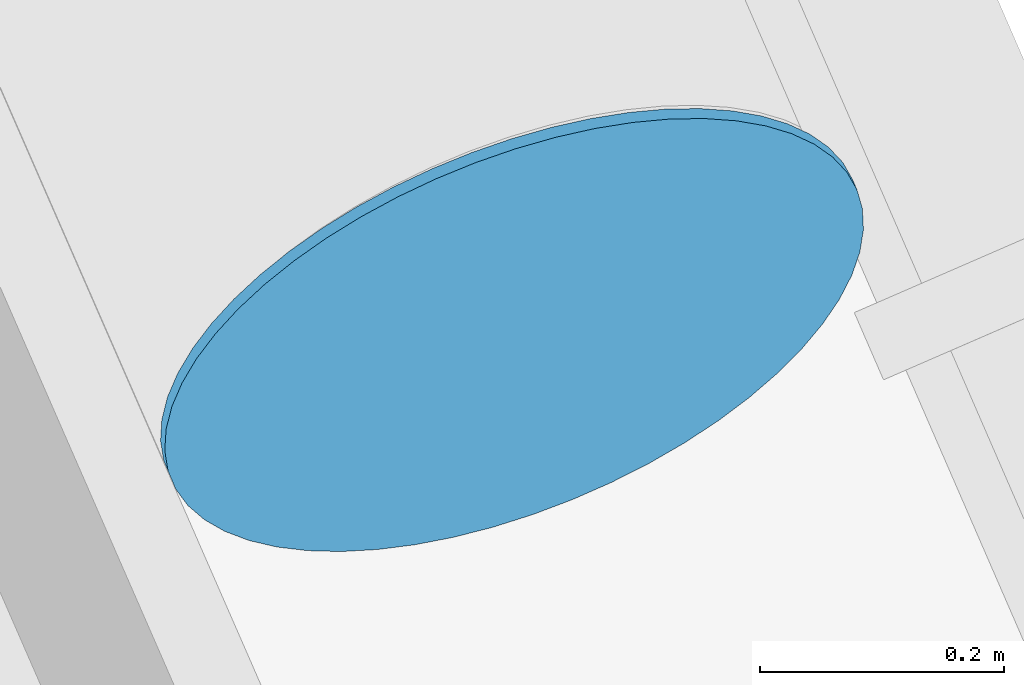
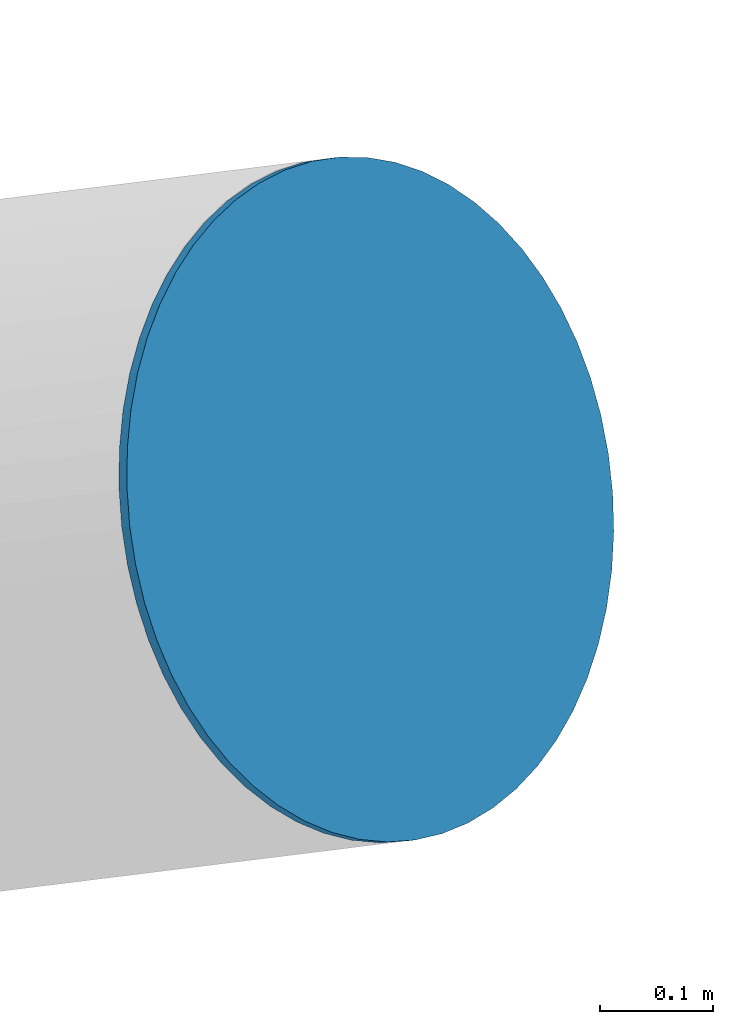
# One storey, part 24 of 27: 1 discrete accessory.
"""IFC4 building model written with IfcOpenShell, lengths in metres."""

from ifc_helpers import new_model, si_unit, direction, frame, origin, origin_2d, place, context, subcontext, project, spatial, circle, extrude, material, material_profile, profile_set, type_object, element, save


model = new_model("IFC4")

# Units and contexts
model_context = context("Model", 3, precision=1e-05, world=origin(), true_north=direction((0.0, 1.0)))
body_context = subcontext(model_context, "Body", "Model", "MODEL_VIEW")
ifc_project = project(units=[si_unit("LENGTHUNIT", "METRE"), si_unit("AREAUNIT", "SQUARE_METRE"), si_unit("VOLUMEUNIT", "CUBIC_METRE"), si_unit("PLANEANGLEUNIT", "RADIAN"), si_unit("MASSUNIT", "GRAM", prefix="KILO")], contexts=[model_context])

# Site, building, storey
site_placement = place(None, origin())
site = spatial("IfcSite", under=ifc_project, at=site_placement, CompositionType="ELEMENT")
building_placement = place(site_placement, origin())
building = spatial("IfcBuilding", under=site, at=building_placement, Name="Wharfspan Tower", CompositionType="ELEMENT")
storey_placement = place(building_placement, frame((0.0, 0.0, 210.699951)))
storey = spatial("IfcBuildingStorey", under=building, at=storey_placement, Name="L52", CompositionType="ELEMENT", Elevation=210.699951)

# Discrete accessory
ifc_material = material(Name="Steel S460NH", Category="steel")
ifc_material_profile = material_profile(ifc_material, circle(Radius=0.304932, at=origin_2d()))
ifc_profile_set = profile_set([ifc_material_profile], Name="Steel S460NH")
discrete_accessory_type = type_object("IfcDiscreteAccessoryType", Name="End plate CHS 610x25", PredefinedType="BRACKET", material=ifc_profile_set)
discrete_accessory_placement = place(storey_placement, frame((71.769775, 36.06958, 6.233398), z_axis=(0.345075, -0.81339, 0.468316), x_axis=(0.920586, 0.390551, -2e-06)))
element("IfcDiscreteAccessory", 1, at=discrete_accessory_placement, inside=storey, type_object=discrete_accessory_type, Name="End plate CHS 610x25", PredefinedType="BRACKET", context=body_context, shape_type="SweptSolid", body=[
    extrude(circle(Radius=0.304932, at=origin_2d()), origin(), (0.0, 0.0, 1.0), 0.01001),
])

save(model, "model.ifc")
